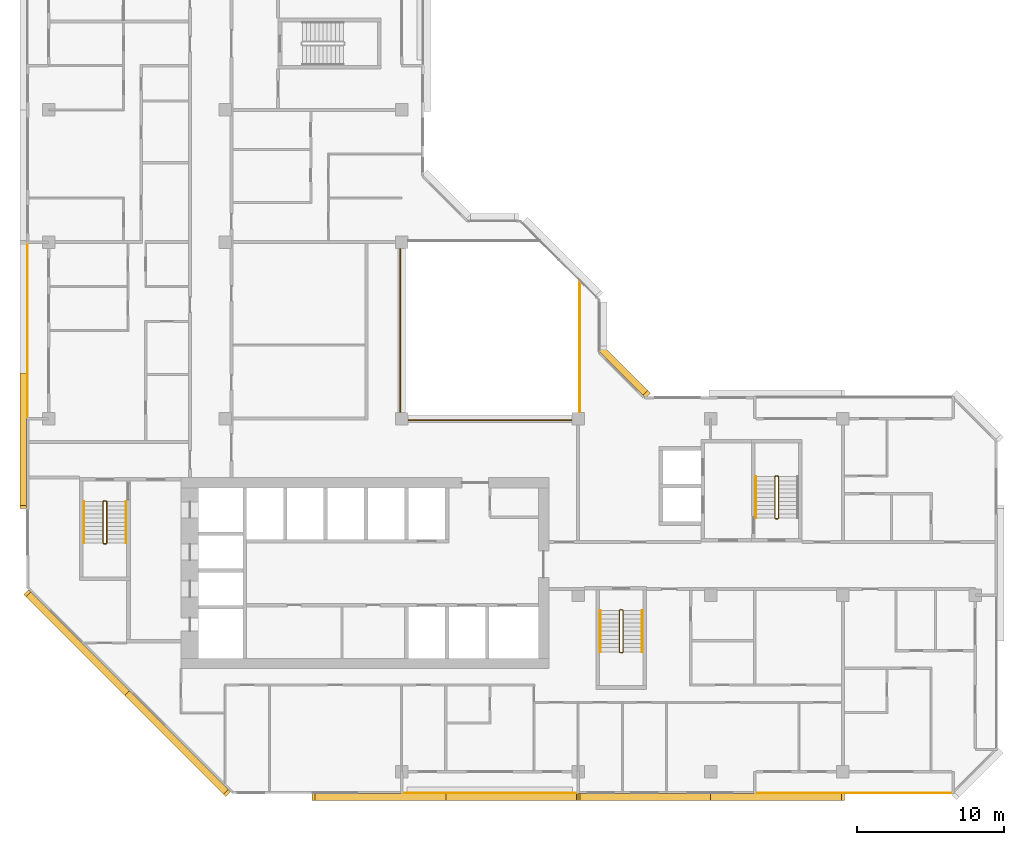
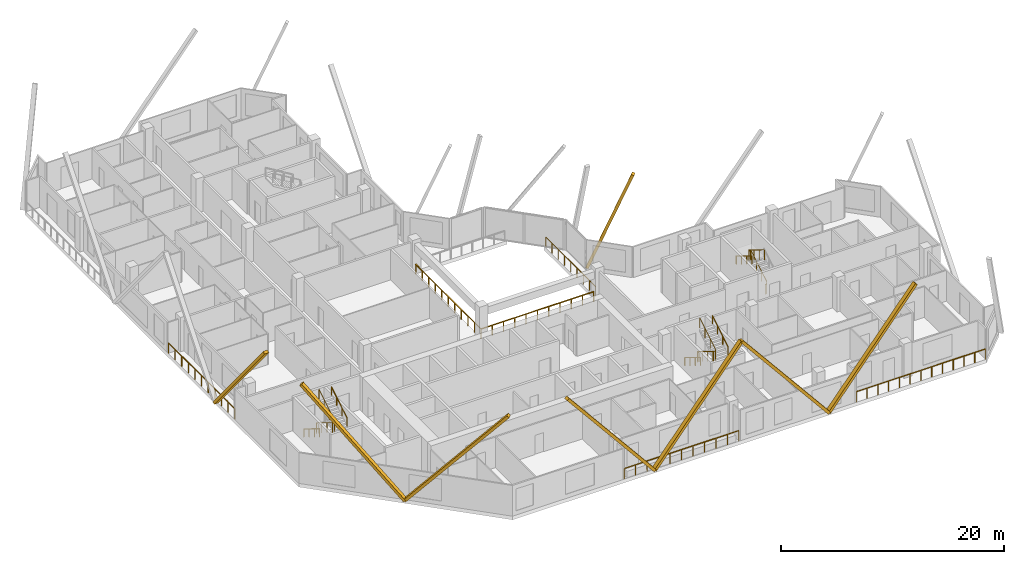
# One storey, part 13 of 14: 13 railings, 8 coverings.
"""IFC4 building model written with IfcOpenShell, lengths in metres."""

from ifc_helpers import new_model, si_unit, direction, frame, origin, origin_2d, place, context, subcontext, project, spatial, rectangle, extrude, material, material_profile, profile_set, type_object, element, save


model = new_model("IFC4")

# Units and contexts
model_context = context("Model", 3, precision=1e-05, world=origin(), true_north=direction((0.0, 1.0)))
body_context = subcontext(model_context, "Body", "Model", "MODEL_VIEW")
ifc_project = project(units=[si_unit("LENGTHUNIT", "METRE"), si_unit("AREAUNIT", "SQUARE_METRE"), si_unit("VOLUMEUNIT", "CUBIC_METRE"), si_unit("PLANEANGLEUNIT", "RADIAN"), si_unit("MASSUNIT", "GRAM", prefix="KILO")], contexts=[model_context])

# Site, building, storey
site_placement = place(None, origin())
site = spatial("IfcSite", under=ifc_project, at=site_placement, CompositionType="ELEMENT")
building_placement = place(site_placement, origin())
building = spatial("IfcBuilding", under=site, at=building_placement, Name="Chenar Terraces", CompositionType="ELEMENT")
storey_placement = place(building_placement, frame((0.0, 0.0, 234.14990234375)))
storey = spatial("IfcBuildingStorey", under=building, at=storey_placement, Name="L55", CompositionType="ELEMENT", Elevation=234.14990234375)

# Railings
ifc_material_1 = material(Name="Powder-coated steel", Category="steel")
railing_type_1 = type_object("IfcRailingType", Name="Guard 1100 steel rail with glass infill", PredefinedType="GUARDRAIL", material=ifc_material_1)
railing_1_placement = place(storey_placement, frame((23.89990234375, 35.574951171875, 0.0)))
element("IfcRailing", 1, at=railing_1_placement, inside=storey, type_object=railing_type_1, Name="Guard L55-1", PredefinedType="GUARDRAIL", context=body_context, shape_type="SweptSolid", body=[
    extrude(rectangle(XDim=0.06005859375, YDim=0.06005859375, at=origin_2d()), frame((0.0, 0.0, 1.070068359375), z_axis=(0.0, -1.0, 0.0), x_axis=(1.0, 0.0, 0.0)), (0.0, 0.0, 1.0), 11.675048828125),
    extrude(rectangle(XDim=0.06005859375, YDim=0.06005859375, at=origin_2d()), frame((0.0, -11.675048828125, 1.070068359375), z_axis=(1.0, 0.0, 0.0), x_axis=(0.0, 1.0, 0.0)), (0.0, 0.0, 1.0), 11.675048828125),
    extrude(rectangle(XDim=0.050048828125, YDim=0.050048828125, at=origin_2d()), origin(), (0.0, 0.0, 1.0), 1.0400390625),
    extrude(rectangle(XDim=0.050048828125, YDim=0.050048828125, at=origin_2d()), frame((0.0, -1.16748046875, 0.0)), (0.0, 0.0, 1.0), 1.0400390625),
    extrude(rectangle(XDim=0.050048828125, YDim=0.050048828125, at=origin_2d()), frame((0.0, -2.3349609375, 0.0)), (0.0, 0.0, 1.0), 1.0400390625),
    extrude(rectangle(XDim=0.050048828125, YDim=0.050048828125, at=origin_2d()), frame((0.0, -3.50244140625, 0.0)), (0.0, 0.0, 1.0), 1.0400390625),
    extrude(rectangle(XDim=0.050048828125, YDim=0.050048828125, at=origin_2d()), frame((0.0, -4.669921875, 0.0)), (0.0, 0.0, 1.0), 1.0400390625),
    extrude(rectangle(XDim=0.050048828125, YDim=0.050048828125, at=origin_2d()), frame((0.0, -5.83740234375, 0.0)), (0.0, 0.0, 1.0), 1.0400390625),
    extrude(rectangle(XDim=0.050048828125, YDim=0.050048828125, at=origin_2d()), frame((0.0, -7.005126953125, 0.0)), (0.0, 0.0, 1.0), 1.0400390625),
    extrude(rectangle(XDim=0.050048828125, YDim=0.050048828125, at=origin_2d()), frame((0.0, -8.172607421875, 0.0)), (0.0, 0.0, 1.0), 1.0400390625),
    extrude(rectangle(XDim=0.050048828125, YDim=0.050048828125, at=origin_2d()), frame((0.0, -9.340087890625, 0.0)), (0.0, 0.0, 1.0), 1.0400390625),
    extrude(rectangle(XDim=0.050048828125, YDim=0.050048828125, at=origin_2d()), frame((0.0, -10.507568359375, 0.0)), (0.0, 0.0, 1.0), 1.0400390625),
    extrude(rectangle(XDim=0.050048828125, YDim=0.050048828125, at=origin_2d()), frame((0.0, -11.675048828125, 0.0)), (0.0, 0.0, 1.0), 1.0400390625),
    extrude(rectangle(XDim=0.050048828125, YDim=0.050048828125, at=origin_2d()), frame((1.16748046875, -11.675048828125, 0.0)), (0.0, 0.0, 1.0), 1.0400390625),
    extrude(rectangle(XDim=0.050048828125, YDim=0.050048828125, at=origin_2d()), frame((2.3349609375, -11.675048828125, 0.0)), (0.0, 0.0, 1.0), 1.0400390625),
    extrude(rectangle(XDim=0.050048828125, YDim=0.050048828125, at=origin_2d()), frame((3.50244140625, -11.675048828125, 0.0)), (0.0, 0.0, 1.0), 1.0400390625),
    extrude(rectangle(XDim=0.050048828125, YDim=0.050048828125, at=origin_2d()), frame((4.669921875, -11.675048828125, 0.0)), (0.0, 0.0, 1.0), 1.0400390625),
    extrude(rectangle(XDim=0.050048828125, YDim=0.050048828125, at=origin_2d()), frame((5.83740234375, -11.675048828125, 0.0)), (0.0, 0.0, 1.0), 1.0400390625),
    extrude(rectangle(XDim=0.050048828125, YDim=0.050048828125, at=origin_2d()), frame((7.005126953125, -11.675048828125, 0.0)), (0.0, 0.0, 1.0), 1.0400390625),
    extrude(rectangle(XDim=0.050048828125, YDim=0.050048828125, at=origin_2d()), frame((8.172607421875, -11.675048828125, 0.0)), (0.0, 0.0, 1.0), 1.0400390625),
    extrude(rectangle(XDim=0.050048828125, YDim=0.050048828125, at=origin_2d()), frame((9.340087890625, -11.675048828125, 0.0)), (0.0, 0.0, 1.0), 1.0400390625),
    extrude(rectangle(XDim=0.050048828125, YDim=0.050048828125, at=origin_2d()), frame((10.507568359375, -11.675048828125, 0.0)), (0.0, 0.0, 1.0), 1.0400390625),
    extrude(rectangle(XDim=0.050048828125, YDim=0.050048828125, at=origin_2d()), frame((11.675048828125, -11.675048828125, 0.0)), (0.0, 0.0, 1.0), 1.0400390625),
])
railing_2_placement = place(storey_placement, frame((36.10009765625, 24.47509765625, 0.0)))
element("IfcRailing", 2, at=railing_2_placement, inside=storey, type_object=railing_type_1, Name="Guard L55-3", PredefinedType="GUARDRAIL", context=body_context, shape_type="SweptSolid", body=[
    extrude(rectangle(XDim=0.06005859375, YDim=0.06005859375, at=origin_2d()), frame((0.0, 0.0, 1.070068359375), z_axis=(0.0, 1.0, 0.0), x_axis=(-1.0, 0.0, 0.0)), (0.0, 0.0, 1.0), 8.9248046875),
    extrude(rectangle(XDim=0.050048828125, YDim=0.050048828125, at=origin_2d()), origin(), (0.0, 0.0, 1.0), 1.0400390625),
    extrude(rectangle(XDim=0.050048828125, YDim=0.050048828125, at=origin_2d()), frame((0.0, 1.11572265625, 0.0)), (0.0, 0.0, 1.0), 1.0400390625),
    extrude(rectangle(XDim=0.050048828125, YDim=0.050048828125, at=origin_2d()), frame((0.0, 2.231201171875, 0.0)), (0.0, 0.0, 1.0), 1.0400390625),
    extrude(rectangle(XDim=0.050048828125, YDim=0.050048828125, at=origin_2d()), frame((0.0, 3.3466796875, 0.0)), (0.0, 0.0, 1.0), 1.0400390625),
    extrude(rectangle(XDim=0.050048828125, YDim=0.050048828125, at=origin_2d()), frame((0.0, 4.46240234375, 0.0)), (0.0, 0.0, 1.0), 1.0400390625),
    extrude(rectangle(XDim=0.050048828125, YDim=0.050048828125, at=origin_2d()), frame((0.0, 5.578125, 0.0)), (0.0, 0.0, 1.0), 1.0400390625),
    extrude(rectangle(XDim=0.050048828125, YDim=0.050048828125, at=origin_2d()), frame((0.0, 6.693603515625, 0.0)), (0.0, 0.0, 1.0), 1.0400390625),
    extrude(rectangle(XDim=0.050048828125, YDim=0.050048828125, at=origin_2d()), frame((0.0, 7.80908203125, 0.0)), (0.0, 0.0, 1.0), 1.0400390625),
    extrude(rectangle(XDim=0.050048828125, YDim=0.050048828125, at=origin_2d()), frame((0.0, 8.9248046875, 0.0)), (0.0, 0.0, 1.0), 1.0400390625),
])
ifc_material_2 = material(Name="Stainless steel and glass", Category="steel")
railing_type_2 = type_object("IfcRailingType", Name="Loggia guard 1150", PredefinedType="GUARDRAIL", material=ifc_material_2)
railing_3_placement = place(storey_placement, frame((24.074951171875, -1.449951171875, 0.0)))
element("IfcRailing", 3, at=railing_3_placement, inside=storey, type_object=railing_type_2, Name="Loggia guard", PredefinedType="GUARDRAIL", context=body_context, shape_type="SweptSolid", body=[
    extrude(rectangle(XDim=0.048095703125, YDim=0.048095703125, at=origin_2d()), frame((0.0, 0.0, 1.1259765625), z_axis=(1.0, 0.0, 0.0), x_axis=(0.0, 1.0, 0.0)), (0.0, 0.0, 1.0), 11.85009765625),
    extrude(rectangle(XDim=0.0419921875, YDim=0.0419921875, at=origin_2d()), origin(), (0.0, 0.0, 1.0), 1.101806640625),
    extrude(rectangle(XDim=0.0419921875, YDim=0.0419921875, at=origin_2d()), frame((1.18505859375, 0.0, 0.0)), (0.0, 0.0, 1.0), 1.101806640625),
    extrude(rectangle(XDim=0.0419921875, YDim=0.0419921875, at=origin_2d()), frame((2.3701171875, 0.0, 0.0)), (0.0, 0.0, 1.0), 1.101806640625),
    extrude(rectangle(XDim=0.0419921875, YDim=0.0419921875, at=origin_2d()), frame((3.554931640625, 0.0, 0.0)), (0.0, 0.0, 1.0), 1.101806640625),
    extrude(rectangle(XDim=0.0419921875, YDim=0.0419921875, at=origin_2d()), frame((4.739990234375, 0.0, 0.0)), (0.0, 0.0, 1.0), 1.101806640625),
    extrude(rectangle(XDim=0.0419921875, YDim=0.0419921875, at=origin_2d()), frame((5.925048828125, 0.0, 0.0)), (0.0, 0.0, 1.0), 1.101806640625),
    extrude(rectangle(XDim=0.0419921875, YDim=0.0419921875, at=origin_2d()), frame((7.110107421875, 0.0, 0.0)), (0.0, 0.0, 1.0), 1.101806640625),
    extrude(rectangle(XDim=0.0419921875, YDim=0.0419921875, at=origin_2d()), frame((8.295166015625, 0.0, 0.0)), (0.0, 0.0, 1.0), 1.101806640625),
    extrude(rectangle(XDim=0.0419921875, YDim=0.0419921875, at=origin_2d()), frame((9.47998046875, 0.0, 0.0)), (0.0, 0.0, 1.0), 1.101806640625),
    extrude(rectangle(XDim=0.0419921875, YDim=0.0419921875, at=origin_2d()), frame((10.6650390625, 0.0, 0.0)), (0.0, 0.0, 1.0), 1.101806640625),
    extrude(rectangle(XDim=0.0419921875, YDim=0.0419921875, at=origin_2d()), frame((11.85009765625, 0.0, 0.0)), (0.0, 0.0, 1.0), 1.101806640625),
])
railing_4_placement = place(storey_placement, frame((48.074951171875, -1.449951171875, 0.0)))
element("IfcRailing", 4, at=railing_4_placement, inside=storey, type_object=railing_type_2, Name="Loggia guard", PredefinedType="GUARDRAIL", context=body_context, shape_type="SweptSolid", body=[
    extrude(rectangle(XDim=0.048095703125, YDim=0.048095703125, at=origin_2d()), frame((0.0, 0.0, 1.1259765625), z_axis=(1.0, 0.0, 0.0), x_axis=(0.0, 1.0, 0.0)), (0.0, 0.0, 1.0), 13.35009765625),
    extrude(rectangle(XDim=0.0419921875, YDim=0.0419921875, at=origin_2d()), origin(), (0.0, 0.0, 1.0), 1.101806640625),
    extrude(rectangle(XDim=0.0419921875, YDim=0.0419921875, at=origin_2d()), frame((1.112548828125, 0.0, 0.0)), (0.0, 0.0, 1.0), 1.101806640625),
    extrude(rectangle(XDim=0.0419921875, YDim=0.0419921875, at=origin_2d()), frame((2.22509765625, 0.0, 0.0)), (0.0, 0.0, 1.0), 1.101806640625),
    extrude(rectangle(XDim=0.0419921875, YDim=0.0419921875, at=origin_2d()), frame((3.33740234375, 0.0, 0.0)), (0.0, 0.0, 1.0), 1.101806640625),
    extrude(rectangle(XDim=0.0419921875, YDim=0.0419921875, at=origin_2d()), frame((4.449951171875, 0.0, 0.0)), (0.0, 0.0, 1.0), 1.101806640625),
    extrude(rectangle(XDim=0.0419921875, YDim=0.0419921875, at=origin_2d()), frame((5.5625, 0.0, 0.0)), (0.0, 0.0, 1.0), 1.101806640625),
    extrude(rectangle(XDim=0.0419921875, YDim=0.0419921875, at=origin_2d()), frame((6.675048828125, 0.0, 0.0)), (0.0, 0.0, 1.0), 1.101806640625),
    extrude(rectangle(XDim=0.0419921875, YDim=0.0419921875, at=origin_2d()), frame((7.78759765625, 0.0, 0.0)), (0.0, 0.0, 1.0), 1.101806640625),
    extrude(rectangle(XDim=0.0419921875, YDim=0.0419921875, at=origin_2d()), frame((8.900146484375, 0.0, 0.0)), (0.0, 0.0, 1.0), 1.101806640625),
    extrude(rectangle(XDim=0.0419921875, YDim=0.0419921875, at=origin_2d()), frame((10.0126953125, 0.0, 0.0)), (0.0, 0.0, 1.0), 1.101806640625),
    extrude(rectangle(XDim=0.0419921875, YDim=0.0419921875, at=origin_2d()), frame((11.125, 0.0, 0.0)), (0.0, 0.0, 1.0), 1.101806640625),
    extrude(rectangle(XDim=0.0419921875, YDim=0.0419921875, at=origin_2d()), frame((12.237548828125, 0.0, 0.0)), (0.0, 0.0, 1.0), 1.101806640625),
    extrude(rectangle(XDim=0.0419921875, YDim=0.0419921875, at=origin_2d()), frame((13.35009765625, 0.0, 0.0)), (0.0, 0.0, 1.0), 1.101806640625),
])
railing_5_placement = place(storey_placement, frame((-1.449951171875, 35.925048828125, 0.0)))
element("IfcRailing", 5, at=railing_5_placement, inside=storey, type_object=railing_type_2, Name="Loggia guard", PredefinedType="GUARDRAIL", context=body_context, shape_type="SweptSolid", body=[
    extrude(rectangle(XDim=0.048095703125, YDim=0.048095703125, at=origin_2d()), frame((0.0, 0.0, 1.1259765625), z_axis=(0.0, -1.0, 0.0), x_axis=(1.0, 0.0, 0.0)), (0.0, 0.0, 1.0), 11.85009765625),
    extrude(rectangle(XDim=0.0419921875, YDim=0.0419921875, at=origin_2d()), origin(), (0.0, 0.0, 1.0), 1.101806640625),
    extrude(rectangle(XDim=0.0419921875, YDim=0.0419921875, at=origin_2d()), frame((0.0, -1.18505859375, 0.0)), (0.0, 0.0, 1.0), 1.101806640625),
    extrude(rectangle(XDim=0.0419921875, YDim=0.0419921875, at=origin_2d()), frame((0.0, -2.3701171875, 0.0)), (0.0, 0.0, 1.0), 1.101806640625),
    extrude(rectangle(XDim=0.0419921875, YDim=0.0419921875, at=origin_2d()), frame((0.0, -3.554931640625, 0.0)), (0.0, 0.0, 1.0), 1.101806640625),
    extrude(rectangle(XDim=0.0419921875, YDim=0.0419921875, at=origin_2d()), frame((0.0, -4.739990234375, 0.0)), (0.0, 0.0, 1.0), 1.101806640625),
    extrude(rectangle(XDim=0.0419921875, YDim=0.0419921875, at=origin_2d()), frame((0.0, -5.925048828125, 0.0)), (0.0, 0.0, 1.0), 1.101806640625),
    extrude(rectangle(XDim=0.0419921875, YDim=0.0419921875, at=origin_2d()), frame((0.0, -7.110107421875, 0.0)), (0.0, 0.0, 1.0), 1.101806640625),
    extrude(rectangle(XDim=0.0419921875, YDim=0.0419921875, at=origin_2d()), frame((0.0, -8.295166015625, 0.0)), (0.0, 0.0, 1.0), 1.101806640625),
    extrude(rectangle(XDim=0.0419921875, YDim=0.0419921875, at=origin_2d()), frame((0.0, -9.47998046875, 0.0)), (0.0, 0.0, 1.0), 1.101806640625),
    extrude(rectangle(XDim=0.0419921875, YDim=0.0419921875, at=origin_2d()), frame((0.0, -10.6650390625, 0.0)), (0.0, 0.0, 1.0), 1.101806640625),
    extrude(rectangle(XDim=0.0419921875, YDim=0.0419921875, at=origin_2d()), frame((0.0, -11.85009765625, 0.0)), (0.0, 0.0, 1.0), 1.101806640625),
])
ifc_material_3 = material(Name="Powder-coated steel", Category="steel")
railing_type_3 = type_object("IfcRailingType", Name="Stair guard 1100", PredefinedType="GUARDRAIL", material=ifc_material_3)
railing_6_placement = place(storey_placement, frame((3.949951171875, 18.35009765625, 3.75)))
element("IfcRailing", 6, at=railing_6_placement, inside=storey, type_object=railing_type_3, Name="L55 ST1 stair guard 1", PredefinedType="GUARDRAIL", context=body_context, shape_type="SweptSolid", body=[
    extrude(rectangle(XDim=0.048095703125, YDim=0.048095703125, at=origin_2d()), frame((0.0, 0.0, 1.076171875), z_axis=(0.0, -0.854202870247, -0.519939858505), x_axis=(1.0, 0.0, 0.0)), (0.0, 0.0, 1.0), 3.278076171875),
    extrude(rectangle(XDim=0.048095703125, YDim=0.048095703125, at=origin_2d()), frame((0.0, -2.800048828125, -0.62841796875), z_axis=(-0.270899902878, -0.270899902878, -0.923702595667), x_axis=(0.707106781187, -0.707106781187, 0.0)), (0.0, 0.0, 1.0), 0.184814453125),
    extrude(rectangle(XDim=0.048095703125, YDim=0.048095703125, at=origin_2d()), frame((-0.050048828125, -2.85009765625, -0.798828125), z_axis=(-1.0, 0.0, 0.0), x_axis=(0.0, -1.0, 0.0)), (0.0, 0.0, 1.0), 0.14990234375),
    extrude(rectangle(XDim=0.048095703125, YDim=0.048095703125, at=origin_2d()), frame((-0.199951171875, -2.85009765625, -0.798828125), z_axis=(-0.707106781187, 0.707106781187, 0.0), x_axis=(-0.707106781187, -0.707106781187, 0.0)), (0.0, 0.0, 1.0), 0.07080078125),
    extrude(rectangle(XDim=0.048095703125, YDim=0.048095703125, at=origin_2d()), frame((-0.25, -2.800048828125, -0.798828125), z_axis=(0.0, 0.854202870247, -0.519939858505), x_axis=(-1.0, 0.0, 0.0)), (0.0, 0.0, 1.0), 3.278076171875),
    extrude(rectangle(XDim=0.048095703125, YDim=0.048095703125, at=origin_2d()), frame((-0.25, 0.0, -2.50341796875), z_axis=(0.270996696079, 0.269674760976, -0.924032636873), x_axis=(-0.705375805398, 0.708833529934, 0.0)), (0.0, 0.0, 1.0), 0.1845703125),
    extrude(rectangle(XDim=0.048095703125, YDim=0.048095703125, at=origin_2d()), frame((-0.199951171875, 0.0498046875, -2.673828125), z_axis=(1.0, 0.0, 0.0), x_axis=(0.0, 1.0, 0.0)), (0.0, 0.0, 1.0), 0.14990234375),
    extrude(rectangle(XDim=0.0419921875, YDim=0.0419921875, at=origin_2d()), origin(), (0.0, 0.0, 1.0), 1.052001953125),
    extrude(rectangle(XDim=0.0419921875, YDim=0.0419921875, at=origin_2d()), frame((0.0, -0.933349609375, -0.568115234375)), (0.0, 0.0, 1.0), 1.052001953125),
    extrude(rectangle(XDim=0.0419921875, YDim=0.0419921875, at=origin_2d()), frame((0.0, -1.86669921875, -1.13623046875)), (0.0, 0.0, 1.0), 1.052001953125),
    extrude(rectangle(XDim=0.0419921875, YDim=0.0419921875, at=origin_2d()), frame((0.0, -2.800048828125, -1.704345703125)), (0.0, 0.0, 1.0), 1.052001953125),
    extrude(rectangle(XDim=0.0419921875, YDim=0.0419921875, at=origin_2d()), frame((-0.050048828125, -2.85009765625, -1.875)), (0.0, 0.0, 1.0), 1.052001953125),
    extrude(rectangle(XDim=0.0419921875, YDim=0.0419921875, at=origin_2d()), frame((-0.199951171875, -2.85009765625, -1.875)), (0.0, 0.0, 1.0), 1.052001953125),
    extrude(rectangle(XDim=0.0419921875, YDim=0.0419921875, at=origin_2d()), frame((-0.25, -2.800048828125, -1.875)), (0.0, 0.0, 1.0), 1.052001953125),
    extrude(rectangle(XDim=0.0419921875, YDim=0.0419921875, at=origin_2d()), frame((-0.25, -1.86669921875, -2.443115234375)), (0.0, 0.0, 1.0), 1.052001953125),
    extrude(rectangle(XDim=0.0419921875, YDim=0.0419921875, at=origin_2d()), frame((-0.25, -0.933349609375, -3.01123046875)), (0.0, 0.0, 1.0), 1.052001953125),
    extrude(rectangle(XDim=0.0419921875, YDim=0.0419921875, at=origin_2d()), frame((-0.25, 0.0, -3.579345703125)), (0.0, 0.0, 1.0), 1.052001953125),
    extrude(rectangle(XDim=0.0419921875, YDim=0.0419921875, at=origin_2d()), frame((-0.199951171875, 0.0498046875, -3.75)), (0.0, 0.0, 1.0), 1.052001953125),
    extrude(rectangle(XDim=0.0419921875, YDim=0.0419921875, at=origin_2d()), frame((-0.050048828125, 0.0498046875, -3.75)), (0.0, 0.0, 1.0), 1.052001953125),
])
railing_7_placement = place(storey_placement, frame((39.050048828125, 10.949951171875, 3.75)))
element("IfcRailing", 7, at=railing_7_placement, inside=storey, type_object=railing_type_3, Name="L55 ST2 stair guard 1", PredefinedType="GUARDRAIL", context=body_context, shape_type="SweptSolid", body=[
    extrude(rectangle(XDim=0.048095703125, YDim=0.048095703125, at=origin_2d()), frame((0.0, 0.0, 1.076171875), z_axis=(0.0, -0.854202870247, -0.519939858505), x_axis=(1.0, 0.0, 0.0)), (0.0, 0.0, 1.0), 3.278076171875),
    extrude(rectangle(XDim=0.048095703125, YDim=0.048095703125, at=origin_2d()), frame((0.0, -2.800048828125, -0.62841796875), z_axis=(-0.270996696079, -0.269674760976, -0.924032636873), x_axis=(0.705375805398, -0.708833529934, 0.0)), (0.0, 0.0, 1.0), 0.1845703125),
    extrude(rectangle(XDim=0.048095703125, YDim=0.048095703125, at=origin_2d()), frame((-0.050048828125, -2.849853515625, -0.798828125), z_axis=(-1.0, 0.0, 0.0), x_axis=(0.0, -1.0, 0.0)), (0.0, 0.0, 1.0), 0.14990234375),
    extrude(rectangle(XDim=0.048095703125, YDim=0.048095703125, at=origin_2d()), frame((-0.199951171875, -2.849853515625, -0.798828125), z_axis=(-0.708833529934, 0.705375805398, 0.0), x_axis=(-0.705375805398, -0.708833529934, 0.0)), (0.0, 0.0, 1.0), 0.070556640625),
    extrude(rectangle(XDim=0.048095703125, YDim=0.048095703125, at=origin_2d()), frame((-0.25, -2.800048828125, -0.798828125), z_axis=(0.0, 0.854202870247, -0.519939858505), x_axis=(-1.0, 0.0, 0.0)), (0.0, 0.0, 1.0), 3.278076171875),
    extrude(rectangle(XDim=0.048095703125, YDim=0.048095703125, at=origin_2d()), frame((-0.25, 0.0, -2.50341796875), z_axis=(0.270899902878, 0.270899902878, -0.923702595667), x_axis=(-0.707106781187, 0.707106781187, 0.0)), (0.0, 0.0, 1.0), 0.184814453125),
    extrude(rectangle(XDim=0.048095703125, YDim=0.048095703125, at=origin_2d()), frame((-0.199951171875, 0.050048828125, -2.673828125), z_axis=(1.0, 0.0, 0.0), x_axis=(0.0, 1.0, 0.0)), (0.0, 0.0, 1.0), 0.14990234375),
    extrude(rectangle(XDim=0.0419921875, YDim=0.0419921875, at=origin_2d()), origin(), (0.0, 0.0, 1.0), 1.052001953125),
    extrude(rectangle(XDim=0.0419921875, YDim=0.0419921875, at=origin_2d()), frame((0.0, -0.933349609375, -0.568115234375)), (0.0, 0.0, 1.0), 1.052001953125),
    extrude(rectangle(XDim=0.0419921875, YDim=0.0419921875, at=origin_2d()), frame((0.0, -1.86669921875, -1.13623046875)), (0.0, 0.0, 1.0), 1.052001953125),
    extrude(rectangle(XDim=0.0419921875, YDim=0.0419921875, at=origin_2d()), frame((0.0, -2.800048828125, -1.704345703125)), (0.0, 0.0, 1.0), 1.052001953125),
    extrude(rectangle(XDim=0.0419921875, YDim=0.0419921875, at=origin_2d()), frame((-0.050048828125, -2.849853515625, -1.875)), (0.0, 0.0, 1.0), 1.052001953125),
    extrude(rectangle(XDim=0.0419921875, YDim=0.0419921875, at=origin_2d()), frame((-0.199951171875, -2.849853515625, -1.875)), (0.0, 0.0, 1.0), 1.052001953125),
    extrude(rectangle(XDim=0.0419921875, YDim=0.0419921875, at=origin_2d()), frame((-0.25, -2.800048828125, -1.875)), (0.0, 0.0, 1.0), 1.052001953125),
    extrude(rectangle(XDim=0.0419921875, YDim=0.0419921875, at=origin_2d()), frame((-0.25, -1.86669921875, -2.443115234375)), (0.0, 0.0, 1.0), 1.052001953125),
    extrude(rectangle(XDim=0.0419921875, YDim=0.0419921875, at=origin_2d()), frame((-0.25, -0.933349609375, -3.01123046875)), (0.0, 0.0, 1.0), 1.052001953125),
    extrude(rectangle(XDim=0.0419921875, YDim=0.0419921875, at=origin_2d()), frame((-0.25, 0.0, -3.579345703125)), (0.0, 0.0, 1.0), 1.052001953125),
    extrude(rectangle(XDim=0.0419921875, YDim=0.0419921875, at=origin_2d()), frame((-0.199951171875, 0.050048828125, -3.75)), (0.0, 0.0, 1.0), 1.052001953125),
    extrude(rectangle(XDim=0.0419921875, YDim=0.0419921875, at=origin_2d()), frame((-0.050048828125, 0.050048828125, -3.75)), (0.0, 0.0, 1.0), 1.052001953125),
])
railing_8_placement = place(storey_placement, frame((49.375, 17.25, 3.75)))
element("IfcRailing", 8, at=railing_8_placement, inside=storey, type_object=railing_type_3, Name="L55 ST3 stair guard 1", PredefinedType="GUARDRAIL", context=body_context, shape_type="SweptSolid", body=[
    extrude(rectangle(XDim=0.048095703125, YDim=0.048095703125, at=origin_2d()), frame((0.0, 0.0, 1.076171875), z_axis=(0.0, 0.854202870247, -0.519939858505), x_axis=(-1.0, 0.0, 0.0)), (0.0, 0.0, 1.0), 3.278076171875),
    extrude(rectangle(XDim=0.048095703125, YDim=0.048095703125, at=origin_2d()), frame((0.0, 2.800048828125, -0.62841796875), z_axis=(0.270899902878, 0.270899902878, -0.923702595667), x_axis=(-0.707106781187, 0.707106781187, 0.0)), (0.0, 0.0, 1.0), 0.184814453125),
    extrude(rectangle(XDim=0.048095703125, YDim=0.048095703125, at=origin_2d()), frame((0.050048828125, 2.85009765625, -0.798828125), z_axis=(1.0, 0.0, 0.0), x_axis=(0.0, 1.0, 0.0)), (0.0, 0.0, 1.0), 0.14990234375),
    extrude(rectangle(XDim=0.048095703125, YDim=0.048095703125, at=origin_2d()), frame((0.199951171875, 2.85009765625, -0.798828125), z_axis=(0.707106781187, -0.707106781187, 0.0), x_axis=(0.707106781187, 0.707106781187, 0.0)), (0.0, 0.0, 1.0), 0.07080078125),
    extrude(rectangle(XDim=0.048095703125, YDim=0.048095703125, at=origin_2d()), frame((0.25, 2.800048828125, -0.798828125), z_axis=(0.0, -0.854202870247, -0.519939858505), x_axis=(1.0, 0.0, 0.0)), (0.0, 0.0, 1.0), 3.278076171875),
    extrude(rectangle(XDim=0.048095703125, YDim=0.048095703125, at=origin_2d()), frame((0.25, 0.0, -2.50341796875), z_axis=(-0.270899902878, -0.270899902878, -0.923702595667), x_axis=(0.707106781187, -0.707106781187, 0.0)), (0.0, 0.0, 1.0), 0.184814453125),
    extrude(rectangle(XDim=0.048095703125, YDim=0.048095703125, at=origin_2d()), frame((0.199951171875, -0.050048828125, -2.673828125), z_axis=(-1.0, 0.0, 0.0), x_axis=(0.0, -1.0, 0.0)), (0.0, 0.0, 1.0), 0.14990234375),
    extrude(rectangle(XDim=0.0419921875, YDim=0.0419921875, at=origin_2d()), origin(), (0.0, 0.0, 1.0), 1.052001953125),
    extrude(rectangle(XDim=0.0419921875, YDim=0.0419921875, at=origin_2d()), frame((0.0, 0.933349609375, -0.568115234375)), (0.0, 0.0, 1.0), 1.052001953125),
    extrude(rectangle(XDim=0.0419921875, YDim=0.0419921875, at=origin_2d()), frame((0.0, 1.86669921875, -1.13623046875)), (0.0, 0.0, 1.0), 1.052001953125),
    extrude(rectangle(XDim=0.0419921875, YDim=0.0419921875, at=origin_2d()), frame((0.0, 2.800048828125, -1.704345703125)), (0.0, 0.0, 1.0), 1.052001953125),
    extrude(rectangle(XDim=0.0419921875, YDim=0.0419921875, at=origin_2d()), frame((0.050048828125, 2.85009765625, -1.875)), (0.0, 0.0, 1.0), 1.052001953125),
    extrude(rectangle(XDim=0.0419921875, YDim=0.0419921875, at=origin_2d()), frame((0.199951171875, 2.85009765625, -1.875)), (0.0, 0.0, 1.0), 1.052001953125),
    extrude(rectangle(XDim=0.0419921875, YDim=0.0419921875, at=origin_2d()), frame((0.25, 2.800048828125, -1.875)), (0.0, 0.0, 1.0), 1.052001953125),
    extrude(rectangle(XDim=0.0419921875, YDim=0.0419921875, at=origin_2d()), frame((0.25, 1.86669921875, -2.443115234375)), (0.0, 0.0, 1.0), 1.052001953125),
    extrude(rectangle(XDim=0.0419921875, YDim=0.0419921875, at=origin_2d()), frame((0.25, 0.933349609375, -3.01123046875)), (0.0, 0.0, 1.0), 1.052001953125),
    extrude(rectangle(XDim=0.0419921875, YDim=0.0419921875, at=origin_2d()), frame((0.25, 0.0, -3.579345703125)), (0.0, 0.0, 1.0), 1.052001953125),
    extrude(rectangle(XDim=0.0419921875, YDim=0.0419921875, at=origin_2d()), frame((0.199951171875, -0.050048828125, -3.75)), (0.0, 0.0, 1.0), 1.052001953125),
    extrude(rectangle(XDim=0.0419921875, YDim=0.0419921875, at=origin_2d()), frame((0.050048828125, -0.050048828125, -3.75)), (0.0, 0.0, 1.0), 1.052001953125),
])
ifc_material_4 = material(Name="Powder-coated steel", Category="steel")
railing_type_4 = type_object("IfcRailingType", Name="Stair handrail 900", PredefinedType="HANDRAIL", material=ifc_material_4)
railing_9_placement = place(storey_placement, frame((2.39990234375, 18.35009765625, 0.170654296875)))
element("IfcRailing", 9, at=railing_9_placement, inside=storey, type_object=railing_type_4, Name="L55 ST1 stair handrail 1", PredefinedType="HANDRAIL", context=body_context, shape_type="SweptSolid", body=[
    extrude(rectangle(XDim=0.048095703125, YDim=0.048095703125, at=origin_2d()), frame((0.0, 0.0, 0.8759765625), z_axis=(0.0, -0.854202870247, 0.519939858505), x_axis=(1.0, 0.0, 0.0)), (0.0, 0.0, 1.0), 3.278076171875),
    extrude(rectangle(XDim=0.0419921875, YDim=0.0419921875, at=origin_2d()), origin(), (0.0, 0.0, 1.0), 0.851806640625),
    extrude(rectangle(XDim=0.0419921875, YDim=0.0419921875, at=origin_2d()), frame((0.0, -0.933349609375, 0.568115234375)), (0.0, 0.0, 1.0), 0.851806640625),
    extrude(rectangle(XDim=0.0419921875, YDim=0.0419921875, at=origin_2d()), frame((0.0, -1.86669921875, 1.13623046875)), (0.0, 0.0, 1.0), 0.851806640625),
    extrude(rectangle(XDim=0.0419921875, YDim=0.0419921875, at=origin_2d()), frame((0.0, -2.800048828125, 1.704345703125)), (0.0, 0.0, 1.0), 0.851806640625),
])
railing_10_placement = place(storey_placement, frame((5.25, 15.550048828125, 2.045654296875)))
element("IfcRailing", 10, at=railing_10_placement, inside=storey, type_object=railing_type_4, Name="L55 ST1 stair handrail 2", PredefinedType="HANDRAIL", context=body_context, shape_type="SweptSolid", body=[
    extrude(rectangle(XDim=0.048095703125, YDim=0.048095703125, at=origin_2d()), frame((0.0, 0.0, 0.8759765625), z_axis=(0.0, 0.854202870247, 0.519939858505), x_axis=(-1.0, 0.0, 0.0)), (0.0, 0.0, 1.0), 3.278076171875),
    extrude(rectangle(XDim=0.0419921875, YDim=0.0419921875, at=origin_2d()), origin(), (0.0, 0.0, 1.0), 0.851806640625),
    extrude(rectangle(XDim=0.0419921875, YDim=0.0419921875, at=origin_2d()), frame((0.0, 0.933349609375, 0.568115234375)), (0.0, 0.0, 1.0), 0.851806640625),
    extrude(rectangle(XDim=0.0419921875, YDim=0.0419921875, at=origin_2d()), frame((0.0, 1.86669921875, 1.13623046875)), (0.0, 0.0, 1.0), 0.851806640625),
    extrude(rectangle(XDim=0.0419921875, YDim=0.0419921875, at=origin_2d()), frame((0.0, 2.800048828125, 1.704345703125)), (0.0, 0.0, 1.0), 0.851806640625),
])
railing_11_placement = place(storey_placement, frame((37.5, 10.949951171875, 0.170654296875)))
element("IfcRailing", 11, at=railing_11_placement, inside=storey, type_object=railing_type_4, Name="L55 ST2 stair handrail 1", PredefinedType="HANDRAIL", context=body_context, shape_type="SweptSolid", body=[
    extrude(rectangle(XDim=0.048095703125, YDim=0.048095703125, at=origin_2d()), frame((0.0, 0.0, 0.8759765625), z_axis=(0.0, -0.854202870247, 0.519939858505), x_axis=(1.0, 0.0, 0.0)), (0.0, 0.0, 1.0), 3.278076171875),
    extrude(rectangle(XDim=0.0419921875, YDim=0.0419921875, at=origin_2d()), origin(), (0.0, 0.0, 1.0), 0.851806640625),
    extrude(rectangle(XDim=0.0419921875, YDim=0.0419921875, at=origin_2d()), frame((0.0, -0.933349609375, 0.568115234375)), (0.0, 0.0, 1.0), 0.851806640625),
    extrude(rectangle(XDim=0.0419921875, YDim=0.0419921875, at=origin_2d()), frame((0.0, -1.86669921875, 1.13623046875)), (0.0, 0.0, 1.0), 0.851806640625),
    extrude(rectangle(XDim=0.0419921875, YDim=0.0419921875, at=origin_2d()), frame((0.0, -2.800048828125, 1.704345703125)), (0.0, 0.0, 1.0), 0.851806640625),
])
railing_12_placement = place(storey_placement, frame((40.35009765625, 8.14990234375, 2.045654296875)))
element("IfcRailing", 12, at=railing_12_placement, inside=storey, type_object=railing_type_4, Name="L55 ST2 stair handrail 2", PredefinedType="HANDRAIL", context=body_context, shape_type="SweptSolid", body=[
    extrude(rectangle(XDim=0.048095703125, YDim=0.048095703125, at=origin_2d()), frame((0.0, 0.0, 0.8759765625), z_axis=(0.0, 0.854202870247, 0.519939858505), x_axis=(-1.0, 0.0, 0.0)), (0.0, 0.0, 1.0), 3.278076171875),
    extrude(rectangle(XDim=0.0419921875, YDim=0.0419921875, at=origin_2d()), origin(), (0.0, 0.0, 1.0), 0.851806640625),
    extrude(rectangle(XDim=0.0419921875, YDim=0.0419921875, at=origin_2d()), frame((0.0, 0.933349609375, 0.568115234375)), (0.0, 0.0, 1.0), 0.851806640625),
    extrude(rectangle(XDim=0.0419921875, YDim=0.0419921875, at=origin_2d()), frame((0.0, 1.86669921875, 1.13623046875)), (0.0, 0.0, 1.0), 0.851806640625),
    extrude(rectangle(XDim=0.0419921875, YDim=0.0419921875, at=origin_2d()), frame((0.0, 2.800048828125, 1.704345703125)), (0.0, 0.0, 1.0), 0.851806640625),
])
railing_13_placement = place(storey_placement, frame((48.074951171875, 20.050048828125, 2.045654296875)))
element("IfcRailing", 13, at=railing_13_placement, inside=storey, type_object=railing_type_4, Name="L55 ST3 stair handrail 2", PredefinedType="HANDRAIL", context=body_context, shape_type="SweptSolid", body=[
    extrude(rectangle(XDim=0.048095703125, YDim=0.048095703125, at=origin_2d()), frame((0.0, 0.0, 0.8759765625), z_axis=(0.0, -0.854202870247, 0.519939858505), x_axis=(1.0, 0.0, 0.0)), (0.0, 0.0, 1.0), 3.278076171875),
    extrude(rectangle(XDim=0.0419921875, YDim=0.0419921875, at=origin_2d()), origin(), (0.0, 0.0, 1.0), 0.851806640625),
    extrude(rectangle(XDim=0.0419921875, YDim=0.0419921875, at=origin_2d()), frame((0.0, -0.933349609375, 0.568115234375)), (0.0, 0.0, 1.0), 0.851806640625),
    extrude(rectangle(XDim=0.0419921875, YDim=0.0419921875, at=origin_2d()), frame((0.0, -1.86669921875, 1.13623046875)), (0.0, 0.0, 1.0), 0.851806640625),
    extrude(rectangle(XDim=0.0419921875, YDim=0.0419921875, at=origin_2d()), frame((0.0, -2.800048828125, 1.704345703125)), (0.0, 0.0, 1.0), 0.851806640625),
])

# Coverings
ifc_material_5 = material(Name="Terracotta", Category="masonry")
ifc_material_profile = material_profile(ifc_material_5, rectangle(XDim=0.449951171875, YDim=0.280029296875, at=origin_2d()), Name="Terracotta baguette 450 x 280")
ifc_profile_set = profile_set([ifc_material_profile], Name="Terracotta")
covering_type = type_object("IfcCoveringType", Name="Terracotta baguette 450 x 280", PredefinedType="CLADDING", material=ifc_profile_set)
covering_1_placement = place(storey_placement, frame((40.6591796875, 25.6591796875, 11.10009765625), z_axis=(-0.255468212233, 0.255468212233, -0.932454816641), x_axis=(-0.707106781187, -0.707106781187, 0.0)))
element("IfcCovering", 14, at=covering_1_placement, inside=storey, type_object=covering_type, Name="Terracotta baguette", PredefinedType="CLADDING", context=body_context, shape_type="SweptSolid", body=[
    extrude(rectangle(XDim=0.449951171875, YDim=0.280029296875, at=origin_2d()), origin(), (0.0, 0.0, 1.0), 11.7431640625),
])
covering_2_placement = place(storey_placement, frame((-1.72509765625, 27.0, 0.150146484375), z_axis=(0.0, -0.634966765532, 0.772539453148), x_axis=(1.0, 0.0, 0.0)))
element("IfcCovering", 15, at=covering_2_placement, inside=storey, type_object=covering_type, Name="Terracotta baguette", PredefinedType="CLADDING", context=body_context, shape_type="SweptSolid", body=[
    extrude(rectangle(XDim=0.449951171875, YDim=0.280029296875, at=origin_2d()), origin(), (0.0, 0.0, 1.0), 14.174072265625),
])
for number, where, z_axis, x_axis, name in (
    (16, (-1.447021484375, 12.128662109375, 11.10009765625), (0.466134798391, -0.466134798391, -0.751955250967), (0.707106781187, 0.707106781187, 0.0), "Terracotta baguette"),
    (17, (5.3408203125, 5.3408203125, 0.150146484375), (0.466134798391, -0.466134798391, 0.751955250967), (0.707106781187, 0.707106781187, 0.0), "Terracotta baguette"),
):
    element("IfcCovering", number, at=place(storey_placement, frame(where, z_axis=z_axis, x_axis=x_axis)), inside=storey, type_object=covering_type, Name=name, PredefinedType="CLADDING", context=body_context, shape_type="SweptSolid", body=[
        extrude(rectangle(XDim=0.449951171875, YDim=0.280029296875, at=origin_2d()), origin(), (0.0, 0.0, 1.0), 14.56201171875),
    ])
for number, where, z_axis, x_axis, name in (
    (18, (18.0, -1.72509765625, 11.10009765625), (0.634966765532, 0.0, -0.772539453148), (0.0, 1.0, 0.0), "Terracotta baguette"),
    (19, (27.0, -1.72509765625, 0.150146484375), (0.634966765532, 0.0, 0.772539453148), (0.0, 1.0, 0.0), "Terracotta baguette"),
    (20, (36.0, -1.72509765625, 11.10009765625), (0.634966765532, 0.0, -0.772539453148), (0.0, 1.0, 0.0), "Terracotta baguette"),
    (21, (45.0, -1.72509765625, 0.150146484375), (0.634966765532, 0.0, 0.772539453148), (0.0, 1.0, 0.0), "Terracotta baguette"),
):
    element("IfcCovering", number, at=place(storey_placement, frame(where, z_axis=z_axis, x_axis=x_axis)), inside=storey, type_object=covering_type, Name=name, PredefinedType="CLADDING", context=body_context, shape_type="SweptSolid", body=[
        extrude(rectangle(XDim=0.449951171875, YDim=0.280029296875, at=origin_2d()), origin(), (0.0, 0.0, 1.0), 14.174072265625),
    ])

save(model, "model.ifc")
